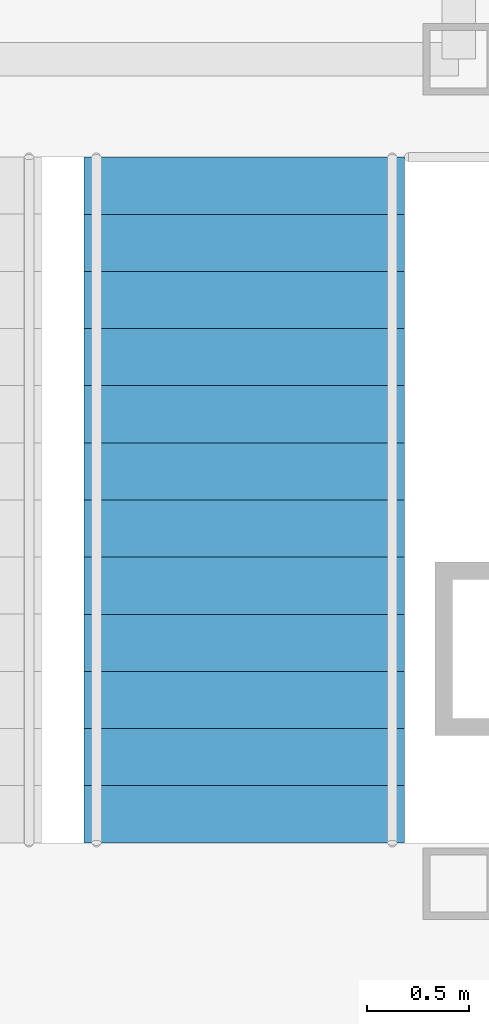
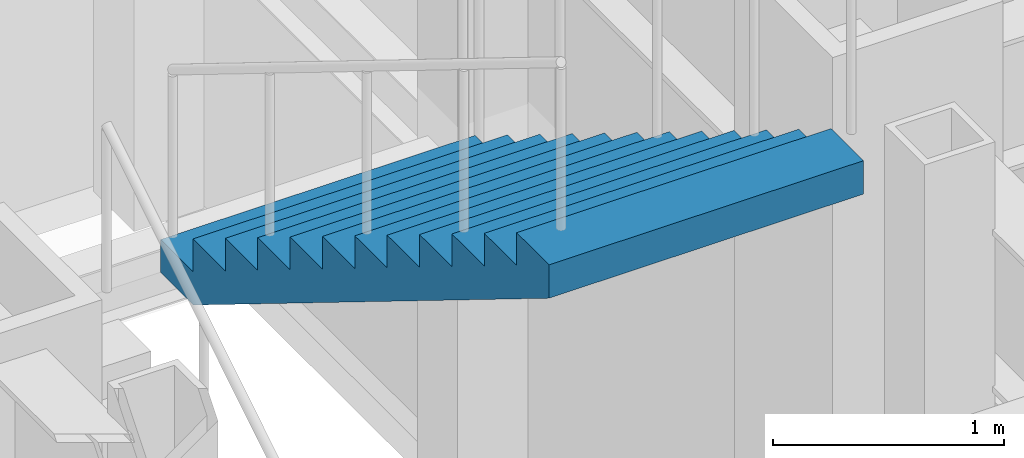
# One storey, part 13 of 17: 1 stair flight, 1 element without a shape of its own.
"""IFC4 building model written with IfcOpenShell, lengths in metres."""

from ifc_helpers import new_model, si_unit, direction, frame, origin, place, context, subcontext, project, spatial, faceted_brep, material, type_object, element, aggregate, save


model = new_model("IFC4")

# Units and contexts
model_context = context("Model", 3, precision=1e-05, world=origin(), true_north=direction((0.0, 1.0)))
body_context = subcontext(model_context, "Body", "Model", "MODEL_VIEW")
ifc_project = project(units=[si_unit("LENGTHUNIT", "METRE"), si_unit("AREAUNIT", "SQUARE_METRE"), si_unit("VOLUMEUNIT", "CUBIC_METRE"), si_unit("PLANEANGLEUNIT", "RADIAN"), si_unit("MASSUNIT", "GRAM", prefix="KILO")], contexts=[model_context])

# Site, building, storey
site_placement = place(None, origin())
site = spatial("IfcSite", under=ifc_project, at=site_placement, CompositionType="ELEMENT")
building_placement = place(site_placement, origin())
building = spatial("IfcBuilding", under=site, at=building_placement, Name="Chuquiago Exchange Tower", CompositionType="ELEMENT")
storey_placement = place(building_placement, frame((0.0, 0.0, 37.800048828125)))
storey = spatial("IfcBuildingStorey", under=building, at=storey_placement, Name="L07", CompositionType="ELEMENT", Elevation=37.800048828125)

# Stair, stair flight
ifc_material_1 = material(Name="Concrete C30/37, precast", Category="concrete")
stair_type = type_object("IfcStairType", Name="ST2 half-turn stair 4500", PredefinedType="HALF_TURN_STAIR", material=ifc_material_1)
stair_placement = place(storey_placement, origin())
stair = element("IfcStair", 1, at=stair_placement, inside=storey, type_object=stair_type, Name="Stair ST2 L07", PredefinedType="HALF_TURN_STAIR")
ifc_material_2 = material(Name="Concrete C30/37, precast", Category="concrete")
stair_flight_type = type_object("IfcStairFlightType", Name="ST-F flight 1570 for 4500 storey", PredefinedType="STRAIGHT", material=ifc_material_2)
stair_flight_placement = place(storey_placement, frame((31.639892578125, 26.409912109375, 2.25), z_axis=(0.0, 0.0, 1.0), x_axis=(0.0, -1.0, 0.0)))
stair_flight = element("IfcStairFlight", 2, at=stair_flight_placement, type_object=stair_flight_type, Name="ST2 flight 2", NumberOfRisers=13, NumberOfTreads=12, PredefinedType="STRAIGHT", RiserHeight=0.173076923, TreadLength=0.28, context=body_context, shape_type="Brep", body=[
    faceted_brep([(0.0, 0.78515625, 0.0), (0.0, 0.78515625, 0.173095703125), (0.280029296875, 0.78515625, 0.173095703125), (0.280029296875, 0.78515625, 0.34619140625), (0.56005859375, 0.78515625, 0.34619140625), (0.56005859375, 0.78515625, 0.519287109375), (0.840087890625, 0.78515625, 0.519287109375), (0.840087890625, 0.78515625, 0.6923828125), (1.1201171875, 0.78515625, 0.6923828125), (1.1201171875, 0.78515625, 0.865478515625), (1.39990234375, 0.78515625, 0.865478515625), (1.39990234375, 0.78515625, 1.03857421875), (1.679931640625, 0.78515625, 1.03857421875), (1.679931640625, 0.78515625, 1.21142578125), (1.9599609375, 0.78515625, 1.21142578125), (1.9599609375, 0.78515625, 1.384521484375), (2.239990234375, 0.78515625, 1.384521484375), (2.239990234375, 0.78515625, 1.5576171875), (2.52001953125, 0.78515625, 1.5576171875), (2.52001953125, 0.78515625, 1.730712890625), (2.800048828125, 0.78515625, 1.730712890625), (2.800048828125, 0.78515625, 1.90380859375), (3.080078125, 0.78515625, 1.90380859375), (3.080078125, 0.78515625, 2.076904296875), (3.360107421875, 0.78515625, 2.076904296875), (3.360107421875, 0.78515625, 1.900634765625), (0.28515625, 0.78515625, 0.0), (0.28515625, -0.78515625, 0.0), (3.360107421875, -0.78515625, 1.900634765625), (3.360107421875, -0.78515625, 2.076904296875), (3.080078125, -0.78515625, 2.076904296875), (3.080078125, -0.78515625, 1.90380859375), (2.800048828125, -0.78515625, 1.90380859375), (2.800048828125, -0.78515625, 1.730712890625), (2.52001953125, -0.78515625, 1.730712890625), (2.52001953125, -0.78515625, 1.5576171875), (2.239990234375, -0.78515625, 1.5576171875), (2.239990234375, -0.78515625, 1.384521484375), (1.9599609375, -0.78515625, 1.384521484375), (1.9599609375, -0.78515625, 1.21142578125), (1.679931640625, -0.78515625, 1.21142578125), (1.679931640625, -0.78515625, 1.03857421875), (1.39990234375, -0.78515625, 1.03857421875), (1.39990234375, -0.78515625, 0.865478515625), (1.1201171875, -0.78515625, 0.865478515625), (1.1201171875, -0.78515625, 0.6923828125), (0.840087890625, -0.78515625, 0.6923828125), (0.840087890625, -0.78515625, 0.519287109375), (0.56005859375, -0.78515625, 0.519287109375), (0.56005859375, -0.78515625, 0.34619140625), (0.280029296875, -0.78515625, 0.34619140625), (0.280029296875, -0.78515625, 0.173095703125), (0.0, -0.78515625, 0.173095703125), (0.0, -0.78515625, 0.0), (0.0, 0.392578125, 0.0), (0.0, 0.392578125, 0.173095703125), (0.0, 0.0, 0.0), (0.0, 0.0, 0.173095703125), (0.0, -0.392578125, 0.0), (0.0, -0.392578125, 0.173095703125), (0.280029296875, 0.392578125, 0.173095703125), (0.280029296875, 0.0, 0.173095703125), (0.280029296875, -0.392578125, 0.173095703125), (0.280029296875, 0.392578125, 0.34619140625), (0.280029296875, 0.0, 0.34619140625), (0.280029296875, -0.392578125, 0.34619140625), (0.56005859375, 0.392578125, 0.34619140625), (0.56005859375, 0.0, 0.34619140625), (0.56005859375, -0.392578125, 0.34619140625), (0.56005859375, 0.392578125, 0.519287109375), (0.56005859375, 0.0, 0.519287109375), (0.56005859375, -0.392578125, 0.519287109375), (0.840087890625, 0.392578125, 0.519287109375), (0.840087890625, 0.0, 0.519287109375), (0.840087890625, -0.392578125, 0.519287109375), (0.840087890625, 0.392578125, 0.6923828125), (0.840087890625, 0.0, 0.6923828125), (0.840087890625, -0.392578125, 0.6923828125), (1.1201171875, 0.392578125, 0.6923828125), (1.1201171875, 0.0, 0.6923828125), (1.1201171875, -0.392578125, 0.6923828125), (1.1201171875, 0.392578125, 0.865478515625), (1.1201171875, 0.0, 0.865478515625), (1.1201171875, -0.392578125, 0.865478515625), (1.39990234375, 0.392578125, 0.865478515625), (1.39990234375, 0.0, 0.865478515625), (1.39990234375, -0.392578125, 0.865478515625), (1.39990234375, 0.392578125, 1.03857421875), (1.39990234375, 0.0, 1.03857421875), (1.39990234375, -0.392578125, 1.03857421875), (1.679931640625, 0.392578125, 1.03857421875), (1.679931640625, 0.0, 1.03857421875), (1.679931640625, -0.392578125, 1.03857421875), (1.679931640625, 0.392578125, 1.21142578125), (1.679931640625, 0.0, 1.21142578125), (1.679931640625, -0.392578125, 1.21142578125), (1.9599609375, 0.392578125, 1.21142578125), (1.9599609375, 0.0, 1.21142578125), (1.9599609375, -0.392578125, 1.21142578125), (1.9599609375, 0.392578125, 1.384521484375), (1.9599609375, 0.0, 1.384521484375), (1.9599609375, -0.392578125, 1.384521484375), (2.239990234375, 0.392578125, 1.384521484375), (2.239990234375, 0.0, 1.384521484375), (2.239990234375, -0.392578125, 1.384521484375), (2.239990234375, 0.392578125, 1.5576171875), (2.239990234375, 0.0, 1.5576171875), (2.239990234375, -0.392578125, 1.5576171875), (2.52001953125, 0.392578125, 1.5576171875), (2.52001953125, 0.0, 1.5576171875), (2.52001953125, -0.392578125, 1.5576171875), (2.52001953125, 0.392578125, 1.730712890625), (2.52001953125, 0.0, 1.730712890625), (2.52001953125, -0.392578125, 1.730712890625), (2.800048828125, 0.392578125, 1.730712890625), (2.800048828125, 0.0, 1.730712890625), (2.800048828125, -0.392578125, 1.730712890625), (2.800048828125, 0.392578125, 1.90380859375), (2.800048828125, 0.0, 1.90380859375), (2.800048828125, -0.392578125, 1.90380859375), (3.080078125, 0.392578125, 1.90380859375), (3.080078125, 0.0, 1.90380859375), (3.080078125, -0.392578125, 1.90380859375), (3.080078125, 0.392578125, 2.076904296875), (3.080078125, 0.0, 2.076904296875), (3.080078125, -0.392578125, 2.076904296875), (3.360107421875, 0.392578125, 2.076904296875), (3.360107421875, 0.0, 2.076904296875), (3.360107421875, -0.392578125, 2.076904296875), (3.360107421875, 0.392578125, 1.900634765625), (3.360107421875, 0.0, 1.900634765625), (3.360107421875, -0.392578125, 1.900634765625), (0.28515625, 0.392578125, 0.0), (0.28515625, 0.0, 0.0), (0.28515625, -0.392578125, 0.0)], [[[0, 1, 2, 3, 4, 5, 6, 7, 8, 9, 10, 11, 12, 13, 14, 15, 16, 17, 18, 19, 20, 21, 22, 23, 24, 25, 26]], [[27, 28, 29, 30, 31, 32, 33, 34, 35, 36, 37, 38, 39, 40, 41, 42, 43, 44, 45, 46, 47, 48, 49, 50, 51, 52, 53]], [[1, 0, 54, 55]], [[55, 54, 56, 57]], [[57, 56, 58, 59]], [[59, 58, 53, 52]], [[2, 1, 55, 60]], [[60, 55, 57, 61]], [[61, 57, 59, 62]], [[62, 59, 52, 51]], [[3, 2, 60, 63]], [[63, 60, 61, 64]], [[64, 61, 62, 65]], [[65, 62, 51, 50]], [[4, 3, 63, 66]], [[66, 63, 64, 67]], [[67, 64, 65, 68]], [[68, 65, 50, 49]], [[5, 4, 66, 69]], [[69, 66, 67, 70]], [[70, 67, 68, 71]], [[71, 68, 49, 48]], [[6, 5, 69, 72]], [[72, 69, 70, 73]], [[73, 70, 71, 74]], [[74, 71, 48, 47]], [[7, 6, 72, 75]], [[75, 72, 73, 76]], [[76, 73, 74, 77]], [[77, 74, 47, 46]], [[8, 7, 75, 78]], [[78, 75, 76, 79]], [[79, 76, 77, 80]], [[80, 77, 46, 45]], [[9, 8, 78, 81]], [[81, 78, 79, 82]], [[82, 79, 80, 83]], [[83, 80, 45, 44]], [[10, 9, 81, 84]], [[84, 81, 82, 85]], [[85, 82, 83, 86]], [[86, 83, 44, 43]], [[11, 10, 84, 87]], [[87, 84, 85, 88]], [[88, 85, 86, 89]], [[89, 86, 43, 42]], [[12, 11, 87, 90]], [[90, 87, 88, 91]], [[91, 88, 89, 92]], [[92, 89, 42, 41]], [[13, 12, 90, 93]], [[93, 90, 91, 94]], [[94, 91, 92, 95]], [[95, 92, 41, 40]], [[14, 13, 93, 96]], [[96, 93, 94, 97]], [[97, 94, 95, 98]], [[98, 95, 40, 39]], [[15, 14, 96, 99]], [[99, 96, 97, 100]], [[100, 97, 98, 101]], [[101, 98, 39, 38]], [[16, 15, 99, 102]], [[102, 99, 100, 103]], [[103, 100, 101, 104]], [[104, 101, 38, 37]], [[17, 16, 102, 105]], [[105, 102, 103, 106]], [[106, 103, 104, 107]], [[107, 104, 37, 36]], [[18, 17, 105, 108]], [[108, 105, 106, 109]], [[109, 106, 107, 110]], [[110, 107, 36, 35]], [[19, 18, 108, 111]], [[111, 108, 109, 112]], [[112, 109, 110, 113]], [[113, 110, 35, 34]], [[20, 19, 111, 114]], [[114, 111, 112, 115]], [[115, 112, 113, 116]], [[116, 113, 34, 33]], [[21, 20, 114, 117]], [[117, 114, 115, 118]], [[118, 115, 116, 119]], [[119, 116, 33, 32]], [[22, 21, 117, 120]], [[120, 117, 118, 121]], [[121, 118, 119, 122]], [[122, 119, 32, 31]], [[23, 22, 120, 123]], [[123, 120, 121, 124]], [[124, 121, 122, 125]], [[125, 122, 31, 30]], [[24, 23, 123, 126]], [[126, 123, 124, 127]], [[127, 124, 125, 128]], [[128, 125, 30, 29]], [[25, 24, 126, 129]], [[129, 126, 127, 130]], [[130, 127, 128, 131]], [[131, 128, 29, 28]], [[26, 25, 129, 132]], [[132, 129, 130, 133]], [[133, 130, 131, 134]], [[134, 131, 28, 27]], [[0, 26, 132, 54]], [[54, 132, 133, 56]], [[56, 133, 134, 58]], [[58, 134, 27, 53]]]),
])
aggregate(stair, [stair_flight])

save(model, "model.ifc")
